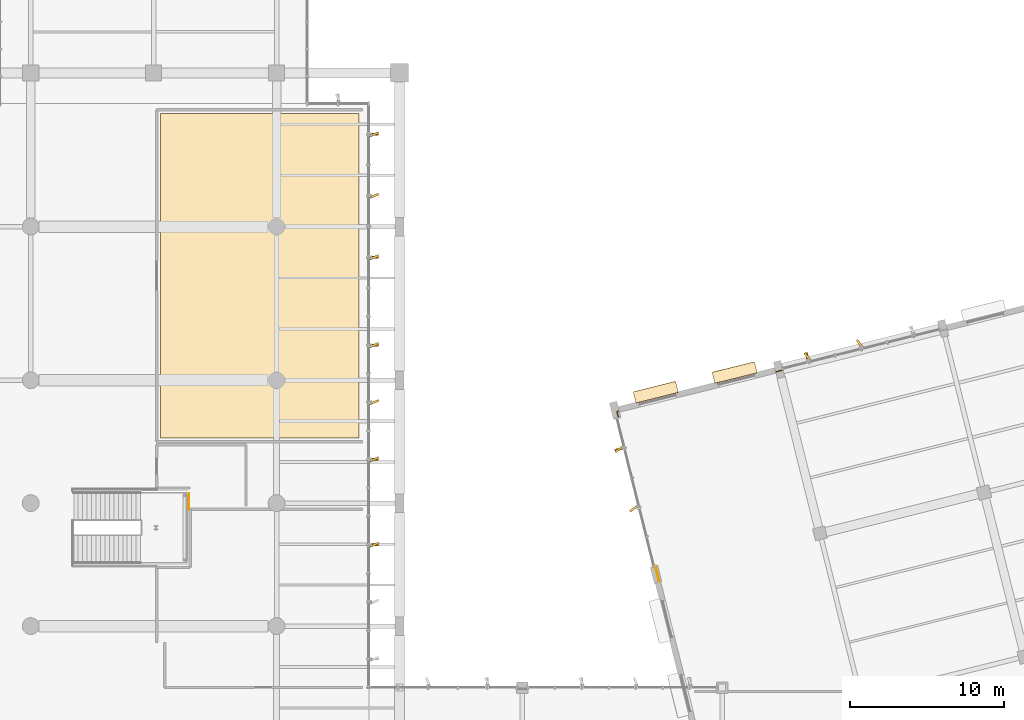
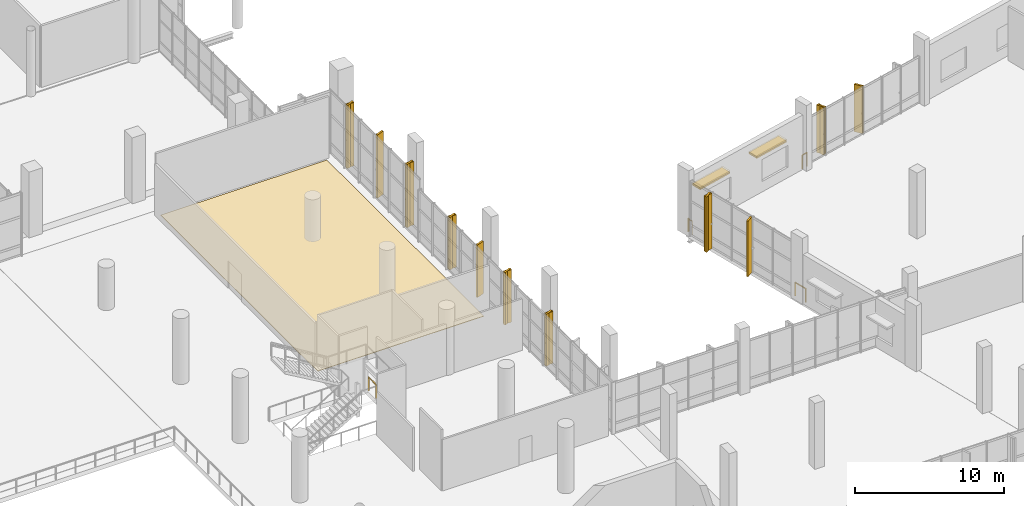
# One storey, part 171 of 176: 13 shading devices, 10 coverings, 4 railings.
"""IFC4 building model written with IfcOpenShell, lengths in metres."""

from ifc_helpers import new_model, si_unit, direction, frame, origin, origin_2d, place, context, subcontext, project, spatial, polyline, rectangle, outline, extrude, material, layer, layer_set, type_object, element, save


model = new_model("IFC4")

# Units and contexts
model_context = context("Model", 3, precision=1e-05, world=origin(), true_north=direction((0.0, 1.0)))
body_context = subcontext(model_context, "Body", "Model", "MODEL_VIEW")
ifc_project = project(units=[si_unit("LENGTHUNIT", "METRE"), si_unit("AREAUNIT", "SQUARE_METRE"), si_unit("VOLUMEUNIT", "CUBIC_METRE"), si_unit("PLANEANGLEUNIT", "RADIAN"), si_unit("MASSUNIT", "GRAM", prefix="KILO")], contexts=[model_context])

# Site, building, storey
site_placement = place(None, origin())
site = spatial("IfcSite", under=ifc_project, at=site_placement, CompositionType="ELEMENT")
building_placement = place(site_placement, origin())
building = spatial("IfcBuilding", under=site, at=building_placement, Name="Khorjan Park Terminus", CompositionType="ELEMENT")
storey_placement = place(building_placement, frame((0.0, 0.0, 6.0)))
storey = spatial("IfcBuildingStorey", under=building, at=storey_placement, Name="L01", CompositionType="ELEMENT", Elevation=6.0)

# Coverings
ifc_material_1 = material(Name="Pigmented Precast GRC", Category="concrete")
ifc_layer_1 = layer(ifc_material_1, 0.16)
ifc_layer_set_1 = layer_set([ifc_layer_1], Name="Pigmented Precast GRC")
covering_type_1 = type_object("IfcCoveringType", Name="CV-FIN-GRC", PredefinedType="CLADDING", material=ifc_layer_set_1)
covering_1_placement = place(storey_placement, frame((134.355, 57.2857, -0.02), z_axis=(0.0, 0.0, 1.0), x_axis=(-1.0, 0.0, 0.0)))
element("IfcCovering", 1, at=covering_1_placement, inside=storey, type_object=covering_type_1, Name="Projecting desert-sandstone GRC facade fin CL-FN1 (CW-V2-E-L01-02-5)", PredefinedType="CLADDING", context=body_context, shape_type="SweptSolid", body=[
    extrude(rectangle(XDim=0.58, YDim=0.16, at=origin_2d()), origin(), (0.0, 0.0, 1.0), 4.255),
])
for number, where, z_axis, x_axis, name in (
    (2, (134.355, 62.8571, -0.02), (0.0, 0.0, 1.0), (-1.0, 0.0, 0.0), "Projecting desert-sandstone GRC facade fin CL-FN1 (CW-V2-E-L01-03-1)"),
    (3, (134.355, 70.2857, -0.02), (0.0, 0.0, 1.0), (-1.0, 0.0, 0.0), "Projecting desert-sandstone GRC facade fin CL-FN1 (CW-V2-E-L01-03-5)"),
):
    element("IfcCovering", number, at=place(storey_placement, frame(where, z_axis=z_axis, x_axis=x_axis)), inside=storey, type_object=covering_type_1, Name=name, PredefinedType="CLADDING", context=body_context, shape_type="SweptSolid", body=[
        extrude(rectangle(XDim=0.58, YDim=0.16, at=origin_2d()), origin(), (0.0, 0.0, 1.0), 4.305),
    ])
for number, where, z_axis, x_axis, name in (
    (4, (134.355, 76.0, -0.02), (0.0, 0.0, 1.0), (-1.0, 0.0, 0.0), "Projecting desert-sandstone GRC facade fin CL-FN1 (CW-V2-E-L01-04-1)"),
    (5, (134.355, 84.0, -0.02), (0.0, 0.0, 1.0), (-1.0, 0.0, 0.0), "Projecting desert-sandstone GRC facade fin CL-FN1 (CW-V2-E-L01-04-5)"),
):
    element("IfcCovering", number, at=place(storey_placement, frame(where, z_axis=z_axis, x_axis=x_axis)), inside=storey, type_object=covering_type_1, Name=name, PredefinedType="CLADDING", context=body_context, shape_type="SweptSolid", body=[
        extrude(rectangle(XDim=0.58, YDim=0.16, at=origin_2d()), origin(), (0.0, 0.0, 1.0), 5.19),
    ])
covering_2_placement = place(storey_placement, frame((162.548, 69.5258, -0.02), z_axis=(0.0, 0.0, 1.0), x_axis=(0.2419218956, -0.970295726276, 0.0)))
element("IfcCovering", 6, at=covering_2_placement, inside=storey, type_object=covering_type_1, Name="Projecting desert-sandstone GRC facade fin CL-FN1 (CW-V5-N-L01-B05-5)", PredefinedType="CLADDING", context=body_context, shape_type="SweptSolid", body=[
    extrude(rectangle(XDim=0.58, YDim=0.16, at=origin_2d()), origin(), (0.0, 0.0, 1.0), 3.895),
])
covering_3_placement = place(storey_placement, frame((150.2978, 63.5108, -0.02), z_axis=(0.0, 0.0, 1.0), x_axis=(0.970295726276, 0.2419218956, 0.0)))
element("IfcCovering", 7, at=covering_3_placement, inside=storey, type_object=covering_type_1, Name="Projecting desert-sandstone GRC facade fin CL-FN1 (CW-V5-W-L01-B01-1)", PredefinedType="CLADDING", context=body_context, shape_type="SweptSolid", body=[
    extrude(rectangle(XDim=0.58, YDim=0.16, at=origin_2d()), origin(), (0.0, 0.0, 1.0), 4.545),
])
ifc_material_2 = material(Name="Polished Desert Limestone Terrazzo", Category="masonry")
ifc_layer_2 = layer(ifc_material_2, 0.035)
ifc_layer_set_2 = layer_set([ifc_layer_2], Name="Polished Desert Limestone Terrazzo")
covering_type_2 = type_object("IfcCoveringType", Name="CV-FLR-TRZ", PredefinedType="FLOORING", material=ifc_layer_set_2)
covering_4_placement = place(storey_placement, origin())
element("IfcCovering", 8, at=covering_4_placement, inside=storey, type_object=covering_type_2, Name="Architectural floor finish FF-TRZ (L01-BSL)", PredefinedType="FLOORING", context=body_context, shape_type="SweptSolid", body=[
    extrude(outline(polyline([(133.35, 85.35), (133.35, 64.25), (120.45, 64.25), (120.45, 85.35), (133.35, 85.35)])), origin(), (0.0, 0.0, 1.0), 0.035),
])
ifc_layer_3 = layer(ifc_material_1, 0.18)
ifc_layer_set_3 = layer_set([ifc_layer_3], Name="Pigmented Precast GRC")
covering_type_3 = type_object("IfcCoveringType", Name="CV-HOOD-GRC", PredefinedType="CLADDING", material=ifc_layer_set_3)
for number, where, z_axis, x_axis, name in (
    (9, (157.8114, 68.4993, 2.73), (0.0, 0.0, 1.0), (-0.970294796448, -0.241925624907, 0.0), "Projecting desert-sandstone GRC window eyebrow CL-HD1 (EW-V5-N-L01-B06-1)"),
    (10, (152.6835, 67.2208, 2.73), (0.0, 0.0, 1.0), (-0.970294796448, -0.241925624907, 0.0), "Projecting desert-sandstone GRC window eyebrow CL-HD1 (EW-V5-N-L01-B06-2)"),
):
    element("IfcCovering", number, at=place(storey_placement, frame(where, z_axis=z_axis, x_axis=x_axis)), inside=storey, type_object=covering_type_3, Name=name, PredefinedType="CLADDING", context=body_context, shape_type="SweptSolid", body=[
        extrude(rectangle(XDim=2.84, YDim=0.74, at=origin_2d()), origin(), (0.0, 0.0, 1.0), 0.16),
    ])

# Railings
ifc_material_3 = material(Name="Steel S355", Category="steel")
railing_type = type_object("IfcRailingType", Name="GR-112", PredefinedType="GUARDRAIL", material=ifc_material_3)
railing_1_placement = place(storey_placement, frame((150.2583, 65.55, 0.0)))
element("IfcRailing", 11, at=railing_1_placement, inside=storey, type_object=railing_type, Name="Perimeter safety guard GR-112 (L01-22)", PredefinedType="GUARDRAIL", context=body_context, shape_type="SweptSolid", body=[
    extrude(rectangle(XDim=0.048, YDim=0.048, at=origin_2d()), frame((0.0, 0.0, 1.096), z_axis=(-0.241932903281, 0.970292981686, 0.0), x_axis=(-0.970292981686, -0.241932903281, 0.0)), (0.0, 0.0, 1.0), 0.4295),
    extrude(rectangle(XDim=0.048, YDim=0.048, at=origin_2d()), frame((-0.1039, 0.4167, 1.096), z_axis=(0.970295873999, 0.241921303114, 0.0), x_axis=(-0.241921303114, 0.970295873999, 0.0)), (0.0, 0.0, 1.0), 0.1149),
    extrude(rectangle(XDim=0.042, YDim=0.042, at=origin_2d()), origin(), (0.0, 0.0, 1.0), 1.072),
    extrude(rectangle(XDim=0.042, YDim=0.042, at=origin_2d()), frame((-0.1039, 0.4167, 0.0)), (0.0, 0.0, 1.0), 1.072),
    extrude(rectangle(XDim=0.042, YDim=0.042, at=origin_2d()), frame((0.0076, 0.4445, 0.0)), (0.0, 0.0, 1.0), 1.072),
])
railing_2_placement = place(storey_placement, frame((152.916, 54.8906, 0.0)))
element("IfcRailing", 12, at=railing_2_placement, inside=storey, type_object=railing_type, Name="Perimeter safety guard GR-112 (L01-23)", PredefinedType="GUARDRAIL", context=body_context, shape_type="SweptSolid", body=[
    extrude(rectangle(XDim=0.048, YDim=0.048, at=origin_2d()), frame((0.0, 0.0, 1.096), z_axis=(-0.241927605951, 0.970294302508, 0.0), x_axis=(-0.970294302508, -0.241927605951, 0.0)), (0.0, 0.0, 1.0), 1.0449),
    extrude(rectangle(XDim=0.042, YDim=0.042, at=origin_2d()), origin(), (0.0, 0.0, 1.0), 1.072),
    extrude(rectangle(XDim=0.042, YDim=0.042, at=origin_2d()), frame((-0.2528, 1.0139, 0.0)), (0.0, 0.0, 1.0), 1.072),
])
railing_3_placement = place(storey_placement, frame((160.5217, 68.5515, 0.0)))
element("IfcRailing", 13, at=railing_3_placement, inside=storey, type_object=railing_type, Name="Perimeter safety guard GR-112 (L01-25)", PredefinedType="GUARDRAIL", context=body_context, shape_type="SweptSolid", body=[
    extrude(rectangle(XDim=0.048, YDim=0.048, at=origin_2d()), frame((0.0, 0.0, 1.096), z_axis=(0.970274535259, 0.242006872273, 0.0), x_axis=(-0.242006872273, 0.970274535259, 0.0)), (0.0, 0.0, 1.0), 0.445),
    extrude(rectangle(XDim=0.042, YDim=0.042, at=origin_2d()), origin(), (0.0, 0.0, 1.0), 1.072),
    extrude(rectangle(XDim=0.042, YDim=0.042, at=origin_2d()), frame((0.4318, 0.1077, 0.0)), (0.0, 0.0, 1.0), 1.072),
])
railing_4_placement = place(storey_placement, frame((122.3, 59.6, 0.0)))
element("IfcRailing", 14, at=railing_4_placement, inside=storey, type_object=railing_type, Name="Perimeter safety guard GR-112 (L01-43)", PredefinedType="GUARDRAIL", context=body_context, shape_type="SweptSolid", body=[
    extrude(rectangle(XDim=0.048, YDim=0.048, at=origin_2d()), frame((0.0, 0.0, 1.096), z_axis=(0.0, 1.0, 0.0), x_axis=(-1.0, 0.0, 0.0)), (0.0, 0.0, 1.0), 1.01),
    extrude(rectangle(XDim=0.042, YDim=0.042, at=origin_2d()), origin(), (0.0, 0.0, 1.0), 1.072),
    extrude(rectangle(XDim=0.042, YDim=0.042, at=origin_2d()), frame((0.0, 1.01, 0.0)), (0.0, 0.0, 1.0), 1.072),
])

# Shading devices
ifc_material_4 = material(Name="Anodized Bronze Aluminium", Category="aluminium")
shading_device_type_1 = type_object("IfcShadingDeviceType", Name="SD-FIN-620", PredefinedType="JALOUSIE", material=ifc_material_4)
shading_device_placement = place(storey_placement, frame((134.355, 57.2857, -0.02), z_axis=(0.0, 0.0, 1.0), x_axis=(-0.927183854567, -0.374606593416, 0.0)))
element("IfcShadingDevice", 15, at=shading_device_placement, inside=storey, type_object=shading_device_type_1, Name="Angled solar brise-soleil fin SF-62 (CW-V2-E-L01-02-5)", PredefinedType="JALOUSIE", context=body_context, shape_type="SweptSolid", body=[
    extrude(rectangle(XDim=0.62, YDim=0.14, at=origin_2d()), origin(), (0.0, 0.0, 1.0), 4.255),
])
for number, where, z_axis, x_axis, name in (
    (16, (134.355, 62.8571, -0.02), (0.0, 0.0, 1.0), (-0.927183854567, -0.374606593416, 0.0), "Angled solar brise-soleil fin SF-62 (CW-V2-E-L01-03-1)"),
    (17, (134.355, 66.5714, -0.02), (0.0, 0.0, 1.0), (-0.927183854567, -0.374606593416, 0.0), "Angled solar brise-soleil fin SF-62 (CW-V2-E-L01-03-3)"),
    (18, (134.355, 70.2857, -0.02), (0.0, 0.0, 1.0), (-0.927183854567, -0.374606593416, 0.0), "Angled solar brise-soleil fin SF-62 (CW-V2-E-L01-03-5)"),
):
    element("IfcShadingDevice", number, at=place(storey_placement, frame(where, z_axis=z_axis, x_axis=x_axis)), inside=storey, type_object=shading_device_type_1, Name=name, PredefinedType="JALOUSIE", context=body_context, shape_type="SweptSolid", body=[
        extrude(rectangle(XDim=0.62, YDim=0.14, at=origin_2d()), origin(), (0.0, 0.0, 1.0), 4.305),
    ])
for number, where, z_axis, x_axis, name in (
    (19, (134.355, 76.0, -0.02), (0.0, 0.0, 1.0), (-0.927183854567, -0.374606593416, 0.0), "Angled solar brise-soleil fin SF-62 (CW-V2-E-L01-04-1)"),
    (20, (134.355, 80.0, -0.02), (0.0, 0.0, 1.0), (-0.927183854567, -0.374606593416, 0.0), "Angled solar brise-soleil fin SF-62 (CW-V2-E-L01-04-3)"),
    (21, (134.355, 84.0, -0.02), (0.0, 0.0, 1.0), (-0.927183854567, -0.374606593416, 0.0), "Angled solar brise-soleil fin SF-62 (CW-V2-E-L01-04-5)"),
):
    element("IfcShadingDevice", number, at=place(storey_placement, frame(where, z_axis=z_axis, x_axis=x_axis)), inside=storey, type_object=shading_device_type_1, Name=name, PredefinedType="JALOUSIE", context=body_context, shape_type="SweptSolid", body=[
        extrude(rectangle(XDim=0.62, YDim=0.14, at=origin_2d()), origin(), (0.0, 0.0, 1.0), 5.19),
    ])
for number, where, z_axis, x_axis, name in (
    (22, (165.9572, 70.3757, -0.02), (0.0, 0.0, 1.0), (0.587785252292, -0.809016994375, 0.0), "Angled solar brise-soleil fin SF-62 (CW-V5-N-L01-B05-3)"),
    (23, (162.548, 69.5258, -0.02), (0.0, 0.0, 1.0), (0.587785252292, -0.809016994375, 0.0), "Angled solar brise-soleil fin SF-62 (CW-V5-N-L01-B05-5)"),
):
    element("IfcShadingDevice", number, at=place(storey_placement, frame(where, z_axis=z_axis, x_axis=x_axis)), inside=storey, type_object=shading_device_type_1, Name=name, PredefinedType="JALOUSIE", context=body_context, shape_type="SweptSolid", body=[
        extrude(rectangle(XDim=0.62, YDim=0.14, at=origin_2d()), origin(), (0.0, 0.0, 1.0), 3.895),
    ])
for number, where, z_axis, x_axis, name in (
    (24, (150.2978, 63.5108, -0.02), (0.0, 0.0, 1.0), (0.809016994375, 0.587785252292, 0.0), "Angled solar brise-soleil fin SF-62 (CW-V5-W-L01-B01-1)"),
    (25, (151.2597, 59.6526, -0.02), (0.0, 0.0, 1.0), (0.809016994375, 0.587785252292, 0.0), "Angled solar brise-soleil fin SF-62 (CW-V5-W-L01-B01-3)"),
):
    element("IfcShadingDevice", number, at=place(storey_placement, frame(where, z_axis=z_axis, x_axis=x_axis)), inside=storey, type_object=shading_device_type_1, Name=name, PredefinedType="JALOUSIE", context=body_context, shape_type="SweptSolid", body=[
        extrude(rectangle(XDim=0.62, YDim=0.14, at=origin_2d()), origin(), (0.0, 0.0, 1.0), 4.545),
    ])
shading_device_type_2 = type_object("IfcShadingDeviceType", Name="SD-SUN-750", PredefinedType="SHUTTER", material=ifc_material_4)
for number, where, z_axis, x_axis, name in (
    (26, (157.8114, 68.4993, 2.66), (0.0, 0.0, 1.0), (-0.970294796448, -0.241925624907, 0.0), "Projecting solar overhang hood SH-75 (EW-V5-N-L01-B06-1)"),
    (27, (152.6835, 67.2208, 2.66), (0.0, 0.0, 1.0), (-0.970294796448, -0.241925624907, 0.0), "Projecting solar overhang hood SH-75 (EW-V5-N-L01-B06-2)"),
):
    element("IfcShadingDevice", number, at=place(storey_placement, frame(where, z_axis=z_axis, x_axis=x_axis)), inside=storey, type_object=shading_device_type_2, Name=name, PredefinedType="SHUTTER", context=body_context, shape_type="SweptSolid", body=[
        extrude(rectangle(XDim=2.76, YDim=0.76, at=origin_2d()), origin(), (0.0, 0.0, 1.0), 0.14),
    ])

save(model, "model.ifc")
